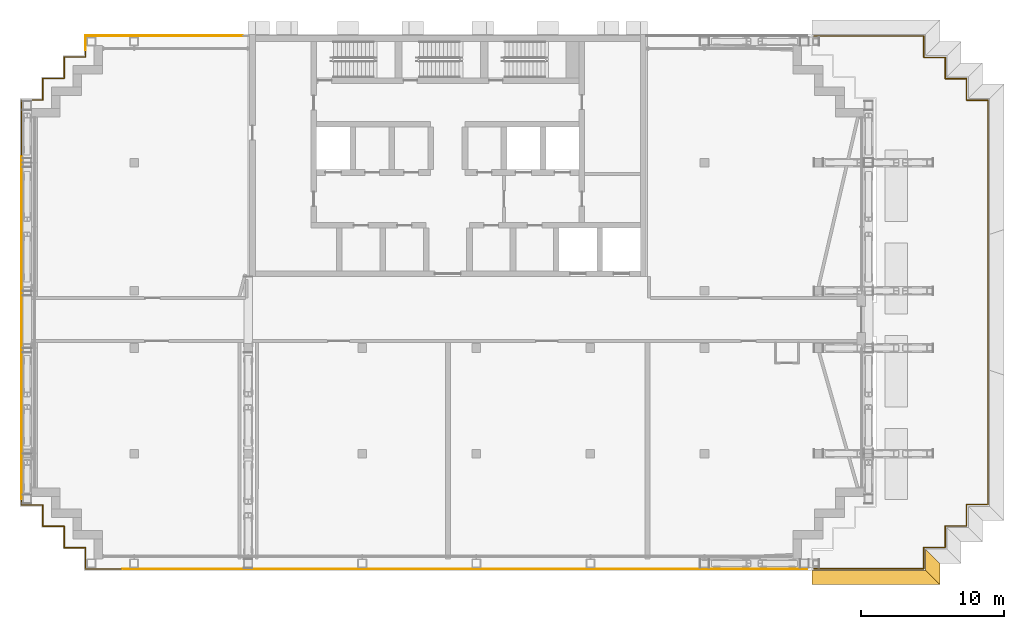
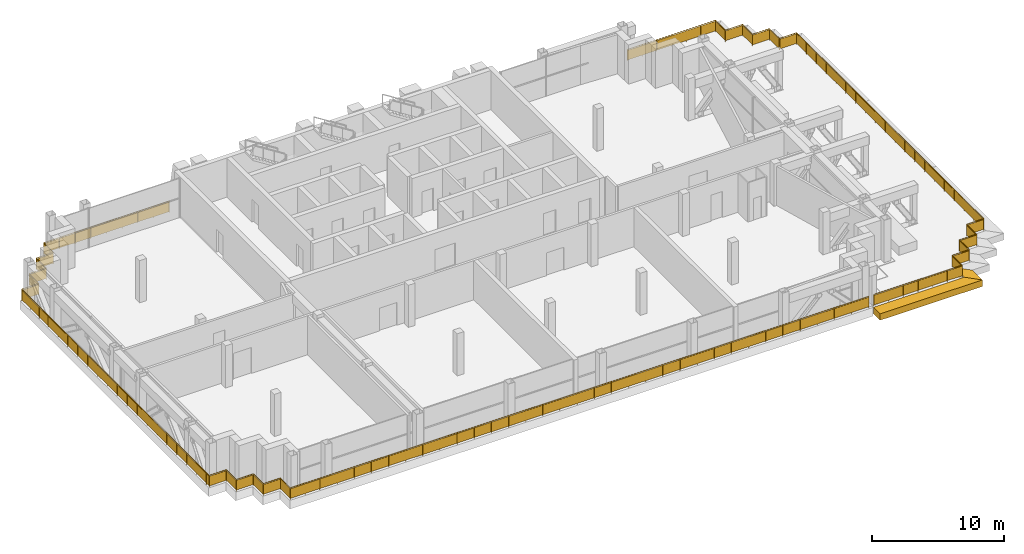
# One storey, part 19 of 21: 10 railings, 2 shading devices.
"""IFC4 building model written with IfcOpenShell, lengths in metres."""

from ifc_helpers import new_model, si_unit, direction, frame, origin, origin_2d, place, context, subcontext, project, spatial, polyline, rectangle, circle, outline, extrude, material, layer, layer_set, type_object, element, save


model = new_model("IFC4")

# Units and contexts
model_context = context("Model", 3, precision=1e-05, world=origin(), true_north=direction((0.0, 1.0)))
body_context = subcontext(model_context, "Body", "Model", "MODEL_VIEW")
ifc_project = project(units=[si_unit("LENGTHUNIT", "METRE"), si_unit("AREAUNIT", "SQUARE_METRE"), si_unit("VOLUMEUNIT", "CUBIC_METRE"), si_unit("PLANEANGLEUNIT", "RADIAN"), si_unit("MASSUNIT", "GRAM", prefix="KILO")], contexts=[model_context])

# Site, building, storey
site_placement = place(None, origin())
site = spatial("IfcSite", under=ifc_project, at=site_placement, CompositionType="ELEMENT")
building_placement = place(site_placement, origin())
building = spatial("IfcBuilding", under=site, at=building_placement, Name="Vidyagriha Tower", CompositionType="ELEMENT")
storey_placement = place(building_placement, frame((0.0, 0.0, 203.699951171875)))
storey = spatial("IfcBuildingStorey", under=building, at=storey_placement, Name="L52", CompositionType="ELEMENT", Elevation=203.699951171875)

# Shading devices
ifc_material_1 = material(Name="Precast concrete C40/50 with brick facing", Category="concrete")
ifc_layer = layer(ifc_material_1, 1.0)
ifc_layer_set = layer_set([ifc_layer], Name="Precast concrete C40/50 with brick facing")
shading_device_type = type_object("IfcShadingDeviceType", Name="Brick chhajja fascia 600", PredefinedType="USERDEFINED", material=ifc_layer_set)
shading_device_1_placement = place(storey_placement, frame((0.0, 0.0, -0.599853515625)))
element("IfcShadingDevice", 1, at=shading_device_1_placement, inside=storey, type_object=shading_device_type, Name="Chhajja fascia TR-B5-1 1", ObjectType="CHHAJJA", PredefinedType="USERDEFINED", context=body_context, shape_type="SweptSolid", body=[
    extrude(outline(polyline([(25.550048828125, -17.60009765625), (25.550048828125, -18.60009765625), (34.5, -18.60009765625), (33.5, -17.60009765625), (25.550048828125, -17.60009765625)])), origin(), (0.0, 0.0, 1.0), 0.599853515625),
])
shading_device_2_placement = place(storey_placement, frame((0.0, 0.0, -0.599853515625)))
element("IfcShadingDevice", 2, at=shading_device_2_placement, inside=storey, type_object=shading_device_type, Name="Chhajja fascia TR-B5-1 2", ObjectType="CHHAJJA", PredefinedType="USERDEFINED", context=body_context, shape_type="SweptSolid", body=[
    extrude(outline(polyline([(33.5, -17.60009765625), (34.5, -18.60009765625), (34.5, -17.10009765625), (33.5, -16.10009765625), (33.5, -17.60009765625)])), origin(), (0.0, 0.0, 1.0), 0.599853515625),
])

# Railings
ifc_material_2 = material(Name="Steel ASTM A500 Grade C black painted", Category="steel")
railing_type_1 = type_object("IfcRailingType", Name="Gallery guard 1100", PredefinedType="GUARDRAIL", material=ifc_material_2)
for number, where, name in (
    (3, (25.18994140625, -17.5, 0.0), "Gallery guard L52 1"),
    (4, (13.18994140625, -17.5, 0.0), "Gallery guard L52 2"),
    (5, (1.18994140625, -17.5, 0.0), "Gallery guard L52 3"),
    (6, (-10.81005859375, -17.5, 0.0), "Gallery guard L52 4"),
):
    element("IfcRailing", number, at=place(storey_placement, frame(where)), inside=storey, type_object=railing_type_1, Name=name, PredefinedType="GUARDRAIL", context=body_context, shape_type="SweptSolid", body=[
        extrude(circle(Radius=0.02490234375, at=origin_2d()), frame((0.0, 0.0, 1.0751953125), z_axis=(-1.0, 0.0, 0.0), x_axis=(0.0, -1.0, 0.0)), (0.0, 0.0, 1.0), 12.0),
        extrude(circle(Radius=0.02001953125, at=origin_2d()), origin(), (0.0, 0.0, 1.0), 1.050048828125),
        extrude(circle(Radius=0.02001953125, at=origin_2d()), frame((-1.5, 0.0, 0.0)), (0.0, 0.0, 1.0), 1.050048828125),
        extrude(circle(Radius=0.02001953125, at=origin_2d()), frame((-3.0, 0.0, 0.0)), (0.0, 0.0, 1.0), 1.050048828125),
        extrude(circle(Radius=0.02001953125, at=origin_2d()), frame((-4.5, 0.0, 0.0)), (0.0, 0.0, 1.0), 1.050048828125),
        extrude(circle(Radius=0.02001953125, at=origin_2d()), frame((-6.0, 0.0, 0.0)), (0.0, 0.0, 1.0), 1.050048828125),
        extrude(circle(Radius=0.02001953125, at=origin_2d()), frame((-7.5, 0.0, 0.0)), (0.0, 0.0, 1.0), 1.050048828125),
        extrude(circle(Radius=0.02001953125, at=origin_2d()), frame((-9.0, 0.0, 0.0)), (0.0, 0.0, 1.0), 1.050048828125),
        extrude(circle(Radius=0.02001953125, at=origin_2d()), frame((-10.5, 0.0, 0.0)), (0.0, 0.0, 1.0), 1.050048828125),
        extrude(circle(Radius=0.02001953125, at=origin_2d()), frame((-12.0, 0.0, 0.0)), (0.0, 0.0, 1.0), 1.050048828125),
        extrude(rectangle(XDim=0.010009765625, YDim=0.900146484375, at=origin_2d()), frame((0.0, 0.0, 0.550048828125), z_axis=(-1.0, 0.0, 0.0), x_axis=(0.0, -1.0, 0.0)), (0.0, 0.0, 1.0), 12.0),
    ])
railing_1_placement = place(storey_placement, frame((-22.81005859375, -17.5, 0.0)))
element("IfcRailing", 7, at=railing_1_placement, inside=storey, type_object=railing_type_1, Name="Gallery guard L52 5", PredefinedType="GUARDRAIL", context=body_context, shape_type="SweptSolid", body=[
    extrude(circle(Radius=0.02490234375, at=origin_2d()), frame((0.0, 0.0, 1.0751953125), z_axis=(-1.0, 0.0, 0.0), x_axis=(0.0, -1.0, 0.0)), (0.0, 0.0, 1.0), 2.58984375),
    extrude(circle(Radius=0.02490234375, at=origin_2d()), frame((-2.58984375, 0.0, 1.0751953125), z_axis=(0.0, 1.0, 0.0), x_axis=(-1.0, 0.0, 0.0)), (0.0, 0.0, 1.0), 1.5),
    extrude(circle(Radius=0.02490234375, at=origin_2d()), frame((-2.58984375, 1.5, 1.0751953125), z_axis=(-1.0, 0.0, 0.0), x_axis=(0.0, -1.0, 0.0)), (0.0, 0.0, 1.0), 1.5),
    extrude(circle(Radius=0.02490234375, at=origin_2d()), frame((-4.08984375, 1.5, 1.0751953125), z_axis=(0.0, 1.0, 0.0), x_axis=(-1.0, 0.0, 0.0)), (0.0, 0.0, 1.0), 1.5),
    extrude(circle(Radius=0.02490234375, at=origin_2d()), frame((-4.08984375, 3.0, 1.0751953125), z_axis=(-1.0, 0.0, 0.0), x_axis=(0.0, -1.0, 0.0)), (0.0, 0.0, 1.0), 1.5),
    extrude(circle(Radius=0.02490234375, at=origin_2d()), frame((-5.58984375, 3.0, 1.0751953125), z_axis=(0.0, 1.0, 0.0), x_axis=(-1.0, 0.0, 0.0)), (0.0, 0.0, 1.0), 1.5),
    extrude(circle(Radius=0.02490234375, at=origin_2d()), frame((-5.58984375, 4.5, 1.0751953125), z_axis=(-1.0, 0.0, 0.0), x_axis=(0.0, -1.0, 0.0)), (0.0, 0.0, 1.0), 1.5),
    extrude(circle(Radius=0.02490234375, at=origin_2d()), frame((-7.08984375, 4.5, 1.0751953125), z_axis=(0.0, 1.0, 0.0), x_axis=(-1.0, 0.0, 0.0)), (0.0, 0.0, 1.0), 0.409912109375),
    extrude(circle(Radius=0.02001953125, at=origin_2d()), origin(), (0.0, 0.0, 1.0), 1.050048828125),
    extrude(circle(Radius=0.02001953125, at=origin_2d()), frame((-1.294921875, 0.0, 0.0)), (0.0, 0.0, 1.0), 1.050048828125),
    extrude(circle(Radius=0.02001953125, at=origin_2d()), frame((-2.58984375, 0.0, 0.0)), (0.0, 0.0, 1.0), 1.050048828125),
    extrude(circle(Radius=0.02001953125, at=origin_2d()), frame((-2.58984375, 1.5, 0.0)), (0.0, 0.0, 1.0), 1.050048828125),
    extrude(circle(Radius=0.02001953125, at=origin_2d()), frame((-4.08984375, 1.5, 0.0)), (0.0, 0.0, 1.0), 1.050048828125),
    extrude(circle(Radius=0.02001953125, at=origin_2d()), frame((-4.08984375, 3.0, 0.0)), (0.0, 0.0, 1.0), 1.050048828125),
    extrude(circle(Radius=0.02001953125, at=origin_2d()), frame((-5.58984375, 3.0, 0.0)), (0.0, 0.0, 1.0), 1.050048828125),
    extrude(circle(Radius=0.02001953125, at=origin_2d()), frame((-5.58984375, 4.5, 0.0)), (0.0, 0.0, 1.0), 1.050048828125),
    extrude(circle(Radius=0.02001953125, at=origin_2d()), frame((-7.08984375, 4.5, 0.0)), (0.0, 0.0, 1.0), 1.050048828125),
    extrude(circle(Radius=0.02001953125, at=origin_2d()), frame((-7.08984375, 4.909912109375, 0.0)), (0.0, 0.0, 1.0), 1.050048828125),
    extrude(rectangle(XDim=0.010009765625, YDim=0.900146484375, at=origin_2d()), frame((0.0, 0.0, 0.550048828125), z_axis=(-1.0, 0.0, 0.0), x_axis=(0.0, -1.0, 0.0)), (0.0, 0.0, 1.0), 2.58984375),
    extrude(rectangle(XDim=0.010009765625, YDim=0.900146484375, at=origin_2d()), frame((-2.58984375, 0.0, 0.550048828125), z_axis=(0.0, 1.0, 0.0), x_axis=(-1.0, 0.0, 0.0)), (0.0, 0.0, 1.0), 1.5),
    extrude(rectangle(XDim=0.010009765625, YDim=0.900146484375, at=origin_2d()), frame((-2.58984375, 1.5, 0.550048828125), z_axis=(-1.0, 0.0, 0.0), x_axis=(0.0, -1.0, 0.0)), (0.0, 0.0, 1.0), 1.5),
    extrude(rectangle(XDim=0.010009765625, YDim=0.900146484375, at=origin_2d()), frame((-4.08984375, 1.5, 0.550048828125), z_axis=(0.0, 1.0, 0.0), x_axis=(-1.0, 0.0, 0.0)), (0.0, 0.0, 1.0), 1.5),
    extrude(rectangle(XDim=0.010009765625, YDim=0.900146484375, at=origin_2d()), frame((-4.08984375, 3.0, 0.550048828125), z_axis=(-1.0, 0.0, 0.0), x_axis=(0.0, -1.0, 0.0)), (0.0, 0.0, 1.0), 1.5),
    extrude(rectangle(XDim=0.010009765625, YDim=0.900146484375, at=origin_2d()), frame((-5.58984375, 3.0, 0.550048828125), z_axis=(0.0, 1.0, 0.0), x_axis=(-1.0, 0.0, 0.0)), (0.0, 0.0, 1.0), 1.5),
    extrude(rectangle(XDim=0.010009765625, YDim=0.900146484375, at=origin_2d()), frame((-5.58984375, 4.5, 0.550048828125), z_axis=(-1.0, 0.0, 0.0), x_axis=(0.0, -1.0, 0.0)), (0.0, 0.0, 1.0), 1.5),
    extrude(rectangle(XDim=0.010009765625, YDim=0.900146484375, at=origin_2d()), frame((-7.08984375, 4.5, 0.550048828125), z_axis=(0.0, 1.0, 0.0), x_axis=(-1.0, 0.0, 0.0)), (0.0, 0.0, 1.0), 0.409912109375),
])
for number, where, name in (
    (8, (-29.89990234375, -12.590087890625, 0.0), "Gallery guard L52 6"),
    (9, (-29.89990234375, -0.590087890625, 0.0), "Gallery guard L52 7"),
):
    element("IfcRailing", number, at=place(storey_placement, frame(where)), inside=storey, type_object=railing_type_1, Name=name, PredefinedType="GUARDRAIL", context=body_context, shape_type="SweptSolid", body=[
        extrude(circle(Radius=0.02490234375, at=origin_2d()), frame((0.0, 0.0, 1.0751953125), z_axis=(0.0, 1.0, 0.0), x_axis=(-1.0, 0.0, 0.0)), (0.0, 0.0, 1.0), 12.0),
        extrude(circle(Radius=0.02001953125, at=origin_2d()), origin(), (0.0, 0.0, 1.0), 1.050048828125),
        extrude(circle(Radius=0.02001953125, at=origin_2d()), frame((0.0, 1.5, 0.0)), (0.0, 0.0, 1.0), 1.050048828125),
        extrude(circle(Radius=0.02001953125, at=origin_2d()), frame((0.0, 3.0, 0.0)), (0.0, 0.0, 1.0), 1.050048828125),
        extrude(circle(Radius=0.02001953125, at=origin_2d()), frame((0.0, 4.5, 0.0)), (0.0, 0.0, 1.0), 1.050048828125),
        extrude(circle(Radius=0.02001953125, at=origin_2d()), frame((0.0, 6.0, 0.0)), (0.0, 0.0, 1.0), 1.050048828125),
        extrude(circle(Radius=0.02001953125, at=origin_2d()), frame((0.0, 7.5, 0.0)), (0.0, 0.0, 1.0), 1.050048828125),
        extrude(circle(Radius=0.02001953125, at=origin_2d()), frame((0.0, 9.0, 0.0)), (0.0, 0.0, 1.0), 1.050048828125),
        extrude(circle(Radius=0.02001953125, at=origin_2d()), frame((0.0, 10.5, 0.0)), (0.0, 0.0, 1.0), 1.050048828125),
        extrude(circle(Radius=0.02001953125, at=origin_2d()), frame((0.0, 12.0, 0.0)), (0.0, 0.0, 1.0), 1.050048828125),
        extrude(rectangle(XDim=0.010009765625, YDim=0.900146484375, at=origin_2d()), frame((0.0, 0.0, 0.550048828125), z_axis=(0.0, 1.0, 0.0), x_axis=(-1.0, 0.0, 0.0)), (0.0, 0.0, 1.0), 12.0),
    ])
railing_2_placement = place(storey_placement, frame((-29.89990234375, 11.409912109375, 0.0)))
element("IfcRailing", 10, at=railing_2_placement, inside=storey, type_object=railing_type_1, Name="Gallery guard L52 8", PredefinedType="GUARDRAIL", context=body_context, shape_type="SweptSolid", body=[
    extrude(circle(Radius=0.02490234375, at=origin_2d()), frame((0.0, 0.0, 1.0751953125), z_axis=(0.0, 1.0, 0.0), x_axis=(-1.0, 0.0, 0.0)), (0.0, 0.0, 1.0), 3.989990234375),
    extrude(circle(Radius=0.02490234375, at=origin_2d()), frame((0.0, 3.989990234375, 1.0751953125), z_axis=(1.0, 0.0, 0.0), x_axis=(0.0, 1.0, 0.0)), (0.0, 0.0, 1.0), 1.5),
    extrude(circle(Radius=0.02490234375, at=origin_2d()), frame((1.5, 3.989990234375, 1.0751953125), z_axis=(0.0, 1.0, 0.0), x_axis=(-1.0, 0.0, 0.0)), (0.0, 0.0, 1.0), 1.5),
    extrude(circle(Radius=0.02490234375, at=origin_2d()), frame((1.5, 5.489990234375, 1.0751953125), z_axis=(1.0, 0.0, 0.0), x_axis=(0.0, 1.0, 0.0)), (0.0, 0.0, 1.0), 1.5),
    extrude(circle(Radius=0.02490234375, at=origin_2d()), frame((3.0, 5.489990234375, 1.0751953125), z_axis=(0.0, 1.0, 0.0), x_axis=(-1.0, 0.0, 0.0)), (0.0, 0.0, 1.0), 1.5),
    extrude(circle(Radius=0.02490234375, at=origin_2d()), frame((3.0, 6.989990234375, 1.0751953125), z_axis=(1.0, 0.0, 0.0), x_axis=(0.0, 1.0, 0.0)), (0.0, 0.0, 1.0), 1.5),
    extrude(circle(Radius=0.02490234375, at=origin_2d()), frame((4.5, 6.989990234375, 1.0751953125), z_axis=(0.0, 1.0, 0.0), x_axis=(-1.0, 0.0, 0.0)), (0.0, 0.0, 1.0), 0.510009765625),
    extrude(circle(Radius=0.02001953125, at=origin_2d()), origin(), (0.0, 0.0, 1.0), 1.050048828125),
    extrude(circle(Radius=0.02001953125, at=origin_2d()), frame((0.0, 1.330078125, 0.0)), (0.0, 0.0, 1.0), 1.050048828125),
    extrude(circle(Radius=0.02001953125, at=origin_2d()), frame((0.0, 2.659912109375, 0.0)), (0.0, 0.0, 1.0), 1.050048828125),
    extrude(circle(Radius=0.02001953125, at=origin_2d()), frame((0.0, 3.989990234375, 0.0)), (0.0, 0.0, 1.0), 1.050048828125),
    extrude(circle(Radius=0.02001953125, at=origin_2d()), frame((1.5, 3.989990234375, 0.0)), (0.0, 0.0, 1.0), 1.050048828125),
    extrude(circle(Radius=0.02001953125, at=origin_2d()), frame((1.5, 5.489990234375, 0.0)), (0.0, 0.0, 1.0), 1.050048828125),
    extrude(circle(Radius=0.02001953125, at=origin_2d()), frame((3.0, 5.489990234375, 0.0)), (0.0, 0.0, 1.0), 1.050048828125),
    extrude(circle(Radius=0.02001953125, at=origin_2d()), frame((3.0, 6.989990234375, 0.0)), (0.0, 0.0, 1.0), 1.050048828125),
    extrude(circle(Radius=0.02001953125, at=origin_2d()), frame((4.5, 6.989990234375, 0.0)), (0.0, 0.0, 1.0), 1.050048828125),
    extrude(circle(Radius=0.02001953125, at=origin_2d()), frame((4.5, 7.5, 0.0)), (0.0, 0.0, 1.0), 1.050048828125),
    extrude(rectangle(XDim=0.010009765625, YDim=0.900146484375, at=origin_2d()), frame((0.0, 0.0, 0.550048828125), z_axis=(0.0, 1.0, 0.0), x_axis=(-1.0, 0.0, 0.0)), (0.0, 0.0, 1.0), 3.989990234375),
    extrude(rectangle(XDim=0.010009765625, YDim=0.900146484375, at=origin_2d()), frame((0.0, 3.989990234375, 0.550048828125), z_axis=(1.0, 0.0, 0.0), x_axis=(0.0, 1.0, 0.0)), (0.0, 0.0, 1.0), 1.5),
    extrude(rectangle(XDim=0.010009765625, YDim=0.900146484375, at=origin_2d()), frame((1.5, 3.989990234375, 0.550048828125), z_axis=(0.0, 1.0, 0.0), x_axis=(-1.0, 0.0, 0.0)), (0.0, 0.0, 1.0), 1.5),
    extrude(rectangle(XDim=0.010009765625, YDim=0.900146484375, at=origin_2d()), frame((1.5, 5.489990234375, 0.550048828125), z_axis=(1.0, 0.0, 0.0), x_axis=(0.0, 1.0, 0.0)), (0.0, 0.0, 1.0), 1.5),
    extrude(rectangle(XDim=0.010009765625, YDim=0.900146484375, at=origin_2d()), frame((3.0, 5.489990234375, 0.550048828125), z_axis=(0.0, 1.0, 0.0), x_axis=(-1.0, 0.0, 0.0)), (0.0, 0.0, 1.0), 1.5),
    extrude(rectangle(XDim=0.010009765625, YDim=0.900146484375, at=origin_2d()), frame((3.0, 6.989990234375, 0.550048828125), z_axis=(1.0, 0.0, 0.0), x_axis=(0.0, 1.0, 0.0)), (0.0, 0.0, 1.0), 1.5),
    extrude(rectangle(XDim=0.010009765625, YDim=0.900146484375, at=origin_2d()), frame((4.5, 6.989990234375, 0.550048828125), z_axis=(0.0, 1.0, 0.0), x_axis=(-1.0, 0.0, 0.0)), (0.0, 0.0, 1.0), 0.510009765625),
])
railing_3_placement = place(storey_placement, frame((-25.39990234375, 18.909912109375, 0.0)))
element("IfcRailing", 11, at=railing_3_placement, inside=storey, type_object=railing_type_1, Name="Gallery guard L52 9", PredefinedType="GUARDRAIL", context=body_context, shape_type="SweptSolid", body=[
    extrude(circle(Radius=0.02490234375, at=origin_2d()), frame((0.0, 0.0, 1.0751953125), z_axis=(0.0, 1.0, 0.0), x_axis=(-1.0, 0.0, 0.0)), (0.0, 0.0, 1.0), 0.989990234375),
    extrude(circle(Radius=0.02490234375, at=origin_2d()), frame((0.0, 0.989990234375, 1.0751953125), z_axis=(1.0, 0.0, 0.0), x_axis=(0.0, 1.0, 0.0)), (0.0, 0.0, 1.0), 11.010009765625),
    extrude(circle(Radius=0.02001953125, at=origin_2d()), origin(), (0.0, 0.0, 1.0), 1.050048828125),
    extrude(circle(Radius=0.02001953125, at=origin_2d()), frame((0.0, 0.989990234375, 0.0)), (0.0, 0.0, 1.0), 1.050048828125),
    extrude(circle(Radius=0.02001953125, at=origin_2d()), frame((1.376220703125, 0.989990234375, 0.0)), (0.0, 0.0, 1.0), 1.050048828125),
    extrude(circle(Radius=0.02001953125, at=origin_2d()), frame((2.75244140625, 0.989990234375, 0.0)), (0.0, 0.0, 1.0), 1.050048828125),
    extrude(circle(Radius=0.02001953125, at=origin_2d()), frame((4.128662109375, 0.989990234375, 0.0)), (0.0, 0.0, 1.0), 1.050048828125),
    extrude(circle(Radius=0.02001953125, at=origin_2d()), frame((5.5048828125, 0.989990234375, 0.0)), (0.0, 0.0, 1.0), 1.050048828125),
    extrude(circle(Radius=0.02001953125, at=origin_2d()), frame((6.88134765625, 0.989990234375, 0.0)), (0.0, 0.0, 1.0), 1.050048828125),
    extrude(circle(Radius=0.02001953125, at=origin_2d()), frame((8.257568359375, 0.989990234375, 0.0)), (0.0, 0.0, 1.0), 1.050048828125),
    extrude(circle(Radius=0.02001953125, at=origin_2d()), frame((9.6337890625, 0.989990234375, 0.0)), (0.0, 0.0, 1.0), 1.050048828125),
    extrude(circle(Radius=0.02001953125, at=origin_2d()), frame((11.010009765625, 0.989990234375, 0.0)), (0.0, 0.0, 1.0), 1.050048828125),
    extrude(rectangle(XDim=0.010009765625, YDim=0.900146484375, at=origin_2d()), frame((0.0, 0.0, 0.550048828125), z_axis=(0.0, 1.0, 0.0), x_axis=(-1.0, 0.0, 0.0)), (0.0, 0.0, 1.0), 0.989990234375),
    extrude(rectangle(XDim=0.010009765625, YDim=0.900146484375, at=origin_2d()), frame((0.0, 0.989990234375, 0.550048828125), z_axis=(1.0, 0.0, 0.0), x_axis=(0.0, 1.0, 0.0)), (0.0, 0.0, 1.0), 11.010009765625),
])
ifc_material_3 = material(Name="Steel ASTM A500 Grade C black painted", Category="steel")
railing_type_2 = type_object("IfcRailingType", Name="Terrace guard 1100", PredefinedType="GUARDRAIL", material=ifc_material_3)
railing_4_placement = place(storey_placement, frame((25.669921875, 19.8798828125, 0.0)))
element("IfcRailing", 12, at=railing_4_placement, inside=storey, type_object=railing_type_2, Name="Terrace guard TR-B5-1 1", PredefinedType="GUARDRAIL", context=body_context, shape_type="SweptSolid", body=[
    extrude(circle(Radius=0.02490234375, at=origin_2d()), frame((0.0, 0.0, 1.0751953125), z_axis=(1.0, 0.0, 0.0), x_axis=(0.0, 1.0, 0.0)), (0.0, 0.0, 1.0), 7.7099609375),
    extrude(circle(Radius=0.02490234375, at=origin_2d()), frame((7.7099609375, 0.0, 1.0751953125), z_axis=(0.0, -1.0, 0.0), x_axis=(1.0, 0.0, 0.0)), (0.0, 0.0, 1.0), 1.5),
    extrude(circle(Radius=0.02490234375, at=origin_2d()), frame((7.7099609375, -1.5, 1.0751953125), z_axis=(1.0, 0.0, 0.0), x_axis=(0.0, 1.0, 0.0)), (0.0, 0.0, 1.0), 1.5),
    extrude(circle(Radius=0.02490234375, at=origin_2d()), frame((9.2099609375, -1.5, 1.0751953125), z_axis=(0.0, -1.0, 0.0), x_axis=(1.0, 0.0, 0.0)), (0.0, 0.0, 1.0), 1.5),
    extrude(circle(Radius=0.02490234375, at=origin_2d()), frame((9.2099609375, -3.0, 1.0751953125), z_axis=(1.0, 0.0, 0.0), x_axis=(0.0, 1.0, 0.0)), (0.0, 0.0, 1.0), 1.5),
    extrude(circle(Radius=0.02490234375, at=origin_2d()), frame((10.7099609375, -3.0, 1.0751953125), z_axis=(0.0, -1.0, 0.0), x_axis=(1.0, 0.0, 0.0)), (0.0, 0.0, 1.0), 1.5),
    extrude(circle(Radius=0.02490234375, at=origin_2d()), frame((10.7099609375, -4.5, 1.0751953125), z_axis=(1.0, 0.0, 0.0), x_axis=(0.0, 1.0, 0.0)), (0.0, 0.0, 1.0), 1.5),
    extrude(circle(Radius=0.02490234375, at=origin_2d()), frame((12.2099609375, -4.5, 1.0751953125), z_axis=(0.0, -1.0, 0.0), x_axis=(1.0, 0.0, 0.0)), (0.0, 0.0, 1.0), 28.35986328125),
    extrude(circle(Radius=0.02490234375, at=origin_2d()), frame((12.2099609375, -32.85986328125, 1.0751953125), z_axis=(-1.0, 0.0, 0.0), x_axis=(0.0, -1.0, 0.0)), (0.0, 0.0, 1.0), 1.5),
    extrude(circle(Radius=0.02490234375, at=origin_2d()), frame((10.7099609375, -32.85986328125, 1.0751953125), z_axis=(0.0, -1.0, 0.0), x_axis=(1.0, 0.0, 0.0)), (0.0, 0.0, 1.0), 1.5),
    extrude(circle(Radius=0.02490234375, at=origin_2d()), frame((10.7099609375, -34.35986328125, 1.0751953125), z_axis=(-1.0, 0.0, 0.0), x_axis=(0.0, -1.0, 0.0)), (0.0, 0.0, 1.0), 1.5),
    extrude(circle(Radius=0.02490234375, at=origin_2d()), frame((9.2099609375, -34.35986328125, 1.0751953125), z_axis=(0.0, -1.0, 0.0), x_axis=(1.0, 0.0, 0.0)), (0.0, 0.0, 1.0), 1.5),
    extrude(circle(Radius=0.02490234375, at=origin_2d()), frame((9.2099609375, -35.85986328125, 1.0751953125), z_axis=(-1.0, 0.0, 0.0), x_axis=(0.0, -1.0, 0.0)), (0.0, 0.0, 1.0), 1.5),
    extrude(circle(Radius=0.02490234375, at=origin_2d()), frame((7.7099609375, -35.85986328125, 1.0751953125), z_axis=(0.0, -1.0, 0.0), x_axis=(1.0, 0.0, 0.0)), (0.0, 0.0, 1.0), 1.5),
    extrude(circle(Radius=0.02490234375, at=origin_2d()), frame((7.7099609375, -37.35986328125, 1.0751953125), z_axis=(-1.0, 0.0, 0.0), x_axis=(0.0, -1.0, 0.0)), (0.0, 0.0, 1.0), 7.7099609375),
    extrude(circle(Radius=0.02001953125, at=origin_2d()), origin(), (0.0, 0.0, 1.0), 1.050048828125),
    extrude(circle(Radius=0.02001953125, at=origin_2d()), frame((1.284912109375, 0.0, 0.0)), (0.0, 0.0, 1.0), 1.050048828125),
    extrude(circle(Radius=0.02001953125, at=origin_2d()), frame((2.570068359375, 0.0, 0.0)), (0.0, 0.0, 1.0), 1.050048828125),
    extrude(circle(Radius=0.02001953125, at=origin_2d()), frame((3.85498046875, 0.0, 0.0)), (0.0, 0.0, 1.0), 1.050048828125),
    extrude(circle(Radius=0.02001953125, at=origin_2d()), frame((5.139892578125, 0.0, 0.0)), (0.0, 0.0, 1.0), 1.050048828125),
    extrude(circle(Radius=0.02001953125, at=origin_2d()), frame((6.425048828125, 0.0, 0.0)), (0.0, 0.0, 1.0), 1.050048828125),
    extrude(circle(Radius=0.02001953125, at=origin_2d()), frame((7.7099609375, 0.0, 0.0)), (0.0, 0.0, 1.0), 1.050048828125),
    extrude(circle(Radius=0.02001953125, at=origin_2d()), frame((7.7099609375, -1.5, 0.0)), (0.0, 0.0, 1.0), 1.050048828125),
    extrude(circle(Radius=0.02001953125, at=origin_2d()), frame((9.2099609375, -1.5, 0.0)), (0.0, 0.0, 1.0), 1.050048828125),
    extrude(circle(Radius=0.02001953125, at=origin_2d()), frame((9.2099609375, -3.0, 0.0)), (0.0, 0.0, 1.0), 1.050048828125),
    extrude(circle(Radius=0.02001953125, at=origin_2d()), frame((10.7099609375, -3.0, 0.0)), (0.0, 0.0, 1.0), 1.050048828125),
    extrude(circle(Radius=0.02001953125, at=origin_2d()), frame((10.7099609375, -4.5, 0.0)), (0.0, 0.0, 1.0), 1.050048828125),
    extrude(circle(Radius=0.02001953125, at=origin_2d()), frame((12.2099609375, -4.5, 0.0)), (0.0, 0.0, 1.0), 1.050048828125),
    extrude(circle(Radius=0.02001953125, at=origin_2d()), frame((12.2099609375, -5.99267578125, 0.0)), (0.0, 0.0, 1.0), 1.050048828125),
    extrude(circle(Radius=0.02001953125, at=origin_2d()), frame((12.2099609375, -7.4853515625, 0.0)), (0.0, 0.0, 1.0), 1.050048828125),
    extrude(circle(Radius=0.02001953125, at=origin_2d()), frame((12.2099609375, -8.977783203125, 0.0)), (0.0, 0.0, 1.0), 1.050048828125),
    extrude(circle(Radius=0.02001953125, at=origin_2d()), frame((12.2099609375, -10.470458984375, 0.0)), (0.0, 0.0, 1.0), 1.050048828125),
    extrude(circle(Radius=0.02001953125, at=origin_2d()), frame((12.2099609375, -11.963134765625, 0.0)), (0.0, 0.0, 1.0), 1.050048828125),
    extrude(circle(Radius=0.02001953125, at=origin_2d()), frame((12.2099609375, -13.455810546875, 0.0)), (0.0, 0.0, 1.0), 1.050048828125),
    extrude(circle(Radius=0.02001953125, at=origin_2d()), frame((12.2099609375, -14.948486328125, 0.0)), (0.0, 0.0, 1.0), 1.050048828125),
    extrude(circle(Radius=0.02001953125, at=origin_2d()), frame((12.2099609375, -16.44091796875, 0.0)), (0.0, 0.0, 1.0), 1.050048828125),
    extrude(circle(Radius=0.02001953125, at=origin_2d()), frame((12.2099609375, -17.93359375, 0.0)), (0.0, 0.0, 1.0), 1.050048828125),
    extrude(circle(Radius=0.02001953125, at=origin_2d()), frame((12.2099609375, -19.42626953125, 0.0)), (0.0, 0.0, 1.0), 1.050048828125),
    extrude(circle(Radius=0.02001953125, at=origin_2d()), frame((12.2099609375, -20.9189453125, 0.0)), (0.0, 0.0, 1.0), 1.050048828125),
    extrude(circle(Radius=0.02001953125, at=origin_2d()), frame((12.2099609375, -22.411376953125, 0.0)), (0.0, 0.0, 1.0), 1.050048828125),
    extrude(circle(Radius=0.02001953125, at=origin_2d()), frame((12.2099609375, -23.904052734375, 0.0)), (0.0, 0.0, 1.0), 1.050048828125),
    extrude(circle(Radius=0.02001953125, at=origin_2d()), frame((12.2099609375, -25.396728515625, 0.0)), (0.0, 0.0, 1.0), 1.050048828125),
    extrude(circle(Radius=0.02001953125, at=origin_2d()), frame((12.2099609375, -26.889404296875, 0.0)), (0.0, 0.0, 1.0), 1.050048828125),
    extrude(circle(Radius=0.02001953125, at=origin_2d()), frame((12.2099609375, -28.382080078125, 0.0)), (0.0, 0.0, 1.0), 1.050048828125),
    extrude(circle(Radius=0.02001953125, at=origin_2d()), frame((12.2099609375, -29.87451171875, 0.0)), (0.0, 0.0, 1.0), 1.050048828125),
    extrude(circle(Radius=0.02001953125, at=origin_2d()), frame((12.2099609375, -31.3671875, 0.0)), (0.0, 0.0, 1.0), 1.050048828125),
    extrude(circle(Radius=0.02001953125, at=origin_2d()), frame((12.2099609375, -32.85986328125, 0.0)), (0.0, 0.0, 1.0), 1.050048828125),
    extrude(circle(Radius=0.02001953125, at=origin_2d()), frame((10.7099609375, -32.85986328125, 0.0)), (0.0, 0.0, 1.0), 1.050048828125),
    extrude(circle(Radius=0.02001953125, at=origin_2d()), frame((10.7099609375, -34.35986328125, 0.0)), (0.0, 0.0, 1.0), 1.050048828125),
    extrude(circle(Radius=0.02001953125, at=origin_2d()), frame((9.2099609375, -34.35986328125, 0.0)), (0.0, 0.0, 1.0), 1.050048828125),
    extrude(circle(Radius=0.02001953125, at=origin_2d()), frame((9.2099609375, -35.85986328125, 0.0)), (0.0, 0.0, 1.0), 1.050048828125),
    extrude(circle(Radius=0.02001953125, at=origin_2d()), frame((7.7099609375, -35.85986328125, 0.0)), (0.0, 0.0, 1.0), 1.050048828125),
    extrude(circle(Radius=0.02001953125, at=origin_2d()), frame((7.7099609375, -37.35986328125, 0.0)), (0.0, 0.0, 1.0), 1.050048828125),
    extrude(circle(Radius=0.02001953125, at=origin_2d()), frame((6.425048828125, -37.35986328125, 0.0)), (0.0, 0.0, 1.0), 1.050048828125),
    extrude(circle(Radius=0.02001953125, at=origin_2d()), frame((5.139892578125, -37.35986328125, 0.0)), (0.0, 0.0, 1.0), 1.050048828125),
    extrude(circle(Radius=0.02001953125, at=origin_2d()), frame((3.85498046875, -37.35986328125, 0.0)), (0.0, 0.0, 1.0), 1.050048828125),
    extrude(circle(Radius=0.02001953125, at=origin_2d()), frame((2.570068359375, -37.35986328125, 0.0)), (0.0, 0.0, 1.0), 1.050048828125),
    extrude(circle(Radius=0.02001953125, at=origin_2d()), frame((1.284912109375, -37.35986328125, 0.0)), (0.0, 0.0, 1.0), 1.050048828125),
    extrude(circle(Radius=0.02001953125, at=origin_2d()), frame((0.0, -37.35986328125, 0.0)), (0.0, 0.0, 1.0), 1.050048828125),
    extrude(rectangle(XDim=0.010009765625, YDim=0.900146484375, at=origin_2d()), frame((0.0, 0.0, 0.550048828125), z_axis=(1.0, 0.0, 0.0), x_axis=(0.0, 1.0, 0.0)), (0.0, 0.0, 1.0), 7.7099609375),
    extrude(rectangle(XDim=0.010009765625, YDim=0.900146484375, at=origin_2d()), frame((7.7099609375, 0.0, 0.550048828125), z_axis=(0.0, -1.0, 0.0), x_axis=(1.0, 0.0, 0.0)), (0.0, 0.0, 1.0), 1.5),
    extrude(rectangle(XDim=0.010009765625, YDim=0.900146484375, at=origin_2d()), frame((7.7099609375, -1.5, 0.550048828125), z_axis=(1.0, 0.0, 0.0), x_axis=(0.0, 1.0, 0.0)), (0.0, 0.0, 1.0), 1.5),
    extrude(rectangle(XDim=0.010009765625, YDim=0.900146484375, at=origin_2d()), frame((9.2099609375, -1.5, 0.550048828125), z_axis=(0.0, -1.0, 0.0), x_axis=(1.0, 0.0, 0.0)), (0.0, 0.0, 1.0), 1.5),
    extrude(rectangle(XDim=0.010009765625, YDim=0.900146484375, at=origin_2d()), frame((9.2099609375, -3.0, 0.550048828125), z_axis=(1.0, 0.0, 0.0), x_axis=(0.0, 1.0, 0.0)), (0.0, 0.0, 1.0), 1.5),
    extrude(rectangle(XDim=0.010009765625, YDim=0.900146484375, at=origin_2d()), frame((10.7099609375, -3.0, 0.550048828125), z_axis=(0.0, -1.0, 0.0), x_axis=(1.0, 0.0, 0.0)), (0.0, 0.0, 1.0), 1.5),
    extrude(rectangle(XDim=0.010009765625, YDim=0.900146484375, at=origin_2d()), frame((10.7099609375, -4.5, 0.550048828125), z_axis=(1.0, 0.0, 0.0), x_axis=(0.0, 1.0, 0.0)), (0.0, 0.0, 1.0), 1.5),
    extrude(rectangle(XDim=0.010009765625, YDim=0.900146484375, at=origin_2d()), frame((12.2099609375, -4.5, 0.550048828125), z_axis=(0.0, -1.0, 0.0), x_axis=(1.0, 0.0, 0.0)), (0.0, 0.0, 1.0), 28.35986328125),
    extrude(rectangle(XDim=0.010009765625, YDim=0.900146484375, at=origin_2d()), frame((12.2099609375, -32.85986328125, 0.550048828125), z_axis=(-1.0, 0.0, 0.0), x_axis=(0.0, -1.0, 0.0)), (0.0, 0.0, 1.0), 1.5),
    extrude(rectangle(XDim=0.010009765625, YDim=0.900146484375, at=origin_2d()), frame((10.7099609375, -32.85986328125, 0.550048828125), z_axis=(0.0, -1.0, 0.0), x_axis=(1.0, 0.0, 0.0)), (0.0, 0.0, 1.0), 1.5),
    extrude(rectangle(XDim=0.010009765625, YDim=0.900146484375, at=origin_2d()), frame((10.7099609375, -34.35986328125, 0.550048828125), z_axis=(-1.0, 0.0, 0.0), x_axis=(0.0, -1.0, 0.0)), (0.0, 0.0, 1.0), 1.5),
    extrude(rectangle(XDim=0.010009765625, YDim=0.900146484375, at=origin_2d()), frame((9.2099609375, -34.35986328125, 0.550048828125), z_axis=(0.0, -1.0, 0.0), x_axis=(1.0, 0.0, 0.0)), (0.0, 0.0, 1.0), 1.5),
    extrude(rectangle(XDim=0.010009765625, YDim=0.900146484375, at=origin_2d()), frame((9.2099609375, -35.85986328125, 0.550048828125), z_axis=(-1.0, 0.0, 0.0), x_axis=(0.0, -1.0, 0.0)), (0.0, 0.0, 1.0), 1.5),
    extrude(rectangle(XDim=0.010009765625, YDim=0.900146484375, at=origin_2d()), frame((7.7099609375, -35.85986328125, 0.550048828125), z_axis=(0.0, -1.0, 0.0), x_axis=(1.0, 0.0, 0.0)), (0.0, 0.0, 1.0), 1.5),
    extrude(rectangle(XDim=0.010009765625, YDim=0.900146484375, at=origin_2d()), frame((7.7099609375, -37.35986328125, 0.550048828125), z_axis=(-1.0, 0.0, 0.0), x_axis=(0.0, -1.0, 0.0)), (0.0, 0.0, 1.0), 7.7099609375),
])

save(model, "model.ifc")
